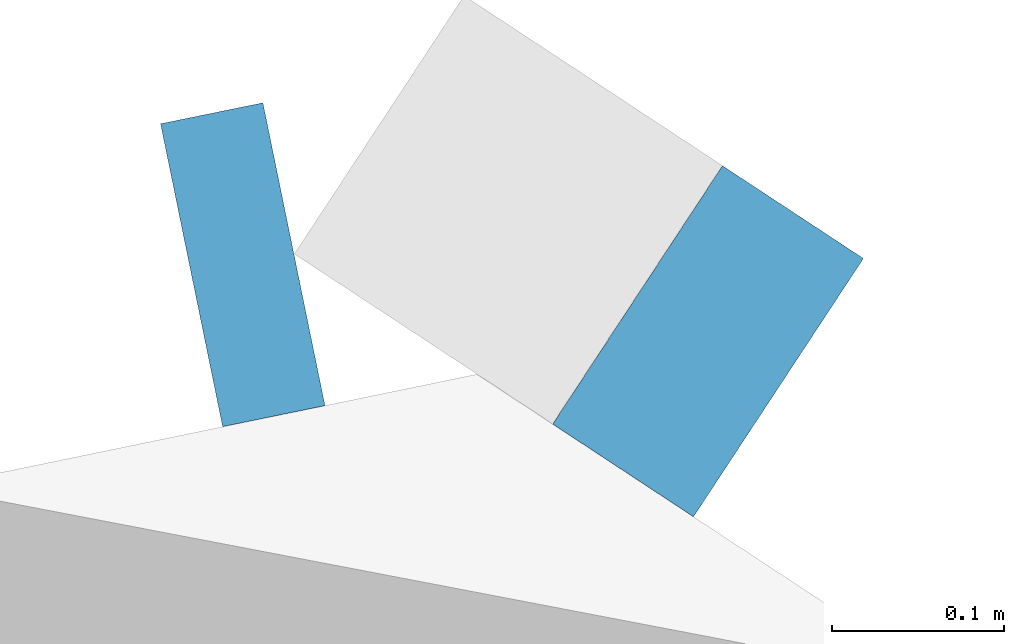
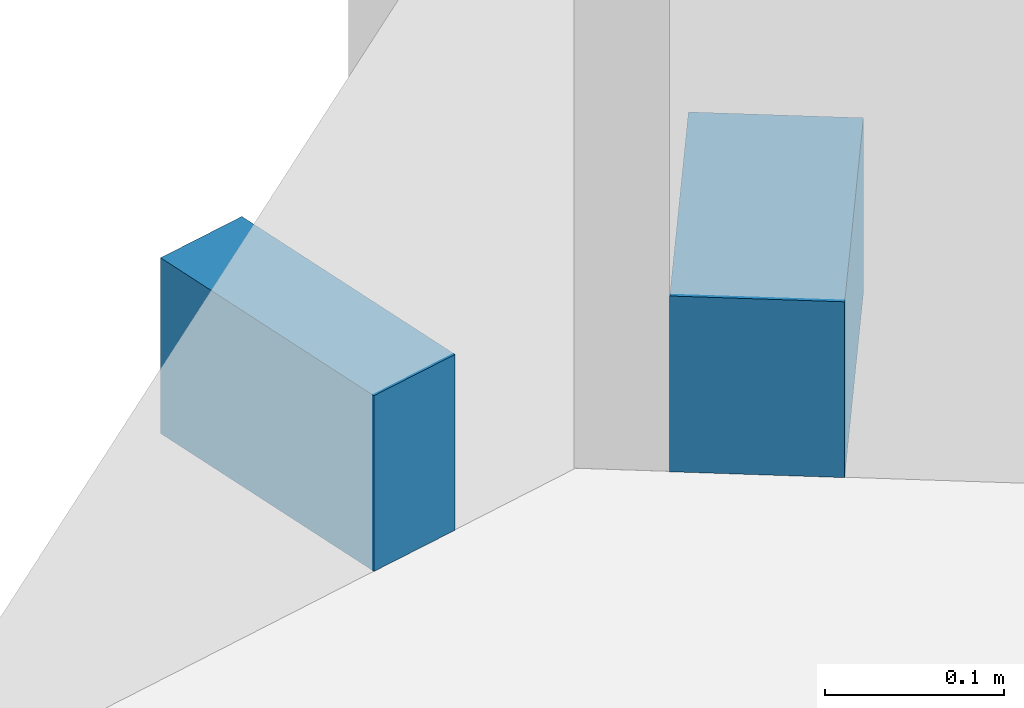
# One storey, part 15 of 24: 2 members, 2 elements without a shape of their own.
"""IFC4 building model written with IfcOpenShell, lengths in metres."""

from ifc_helpers import new_model, si_unit, direction, frame, origin, origin_2d, place, context, subcontext, project, spatial, rectangle, extrude, material, material_profile, profile_set, type_object, element, aggregate, save


model = new_model("IFC4")

# Units and contexts
model_context = context("Model", 3, precision=1e-05, world=origin(), true_north=direction((0.0, 1.0)))
body_context = subcontext(model_context, "Body", "Model", "MODEL_VIEW")
ifc_project = project(units=[si_unit("LENGTHUNIT", "METRE"), si_unit("AREAUNIT", "SQUARE_METRE"), si_unit("VOLUMEUNIT", "CUBIC_METRE"), si_unit("PLANEANGLEUNIT", "RADIAN"), si_unit("MASSUNIT", "GRAM", prefix="KILO")], contexts=[model_context])

# Site, building, storey
site_placement = place(None, origin())
site = spatial("IfcSite", under=ifc_project, at=site_placement, CompositionType="ELEMENT")
building_placement = place(site_placement, origin())
building = spatial("IfcBuilding", under=site, at=building_placement, Name="Orlundy Tower", CompositionType="ELEMENT")
storey_placement = place(building_placement, frame((0.0, 0.0, 235.5)))
storey = spatial("IfcBuildingStorey", under=building, at=storey_placement, Name="L62", CompositionType="ELEMENT", Elevation=235.5)

# Curtain wall, member
ifc_material_1 = material(Name="Aluminium bronze anodised", Category="aluminium")
curtain_wall_type = type_object("IfcCurtainWallType", Name="CW1 wall", PredefinedType="NOTDEFINED", material=ifc_material_1)
curtain_wall_1_placement = place(storey_placement, origin())
curtain_wall_1 = element("IfcCurtainWall", 1, at=curtain_wall_1_placement, inside=storey, type_object=curtain_wall_type, Name="CW1 run 016", PredefinedType="NOTDEFINED")
ifc_material_2 = material(Name="Aluminium bronze anodised", Category="aluminium")
ifc_material_profile = material_profile(ifc_material_2, rectangle(XDim=0.179931640625, YDim=0.1201171875, at=origin_2d()), Name="CW1 transom 180x120")
ifc_profile_set = profile_set([ifc_material_profile], Name="Aluminium bronze anodised")
member_type = type_object("IfcMemberType", Name="CW1 transom 180x120", PredefinedType="USERDEFINED", material=ifc_profile_set)
member_1_placement = place(storey_placement, frame((5.93701171875, 31.95068359375, -0.340087890625), z_axis=(0.97964320999, 0.200746559424, 0.0), x_axis=(-0.200746559424, 0.97964320999, 0.0)))
member_1 = element("IfcMember", 2, at=member_1_placement, type_object=member_type, Name="CW1 transom", ObjectType="TRANSOM", PredefinedType="USERDEFINED", context=body_context, shape_type="SweptSolid", body=[
    extrude(rectangle(XDim=0.179931640625, YDim=0.1201171875, at=origin_2d()), origin(), (0.0, 0.0, 1.0), 0.060791015625),
])
aggregate(curtain_wall_1, [member_1])

curtain_wall_2_placement = place(storey_placement, origin())
curtain_wall_2 = element("IfcCurtainWall", 3, at=curtain_wall_2_placement, inside=storey, type_object=curtain_wall_type, Name="CW1 run 017", PredefinedType="NOTDEFINED")
member_2_placement = place(storey_placement, frame((6.196533203125, 31.939208984375, -0.340087890625), z_axis=(0.835477167613, -0.549525160841, 0.0), x_axis=(0.549525160841, 0.835477167613, 0.0)))
member_2 = element("IfcMember", 4, at=member_2_placement, type_object=member_type, Name="CW1 transom", ObjectType="TRANSOM", PredefinedType="USERDEFINED", context=body_context, shape_type="SweptSolid", body=[
    extrude(rectangle(XDim=0.179931640625, YDim=0.1201171875, at=origin_2d()), origin(), (0.0, 0.0, 1.0), 0.09814453125),
])
aggregate(curtain_wall_2, [member_2])

save(model, "model.ifc")
